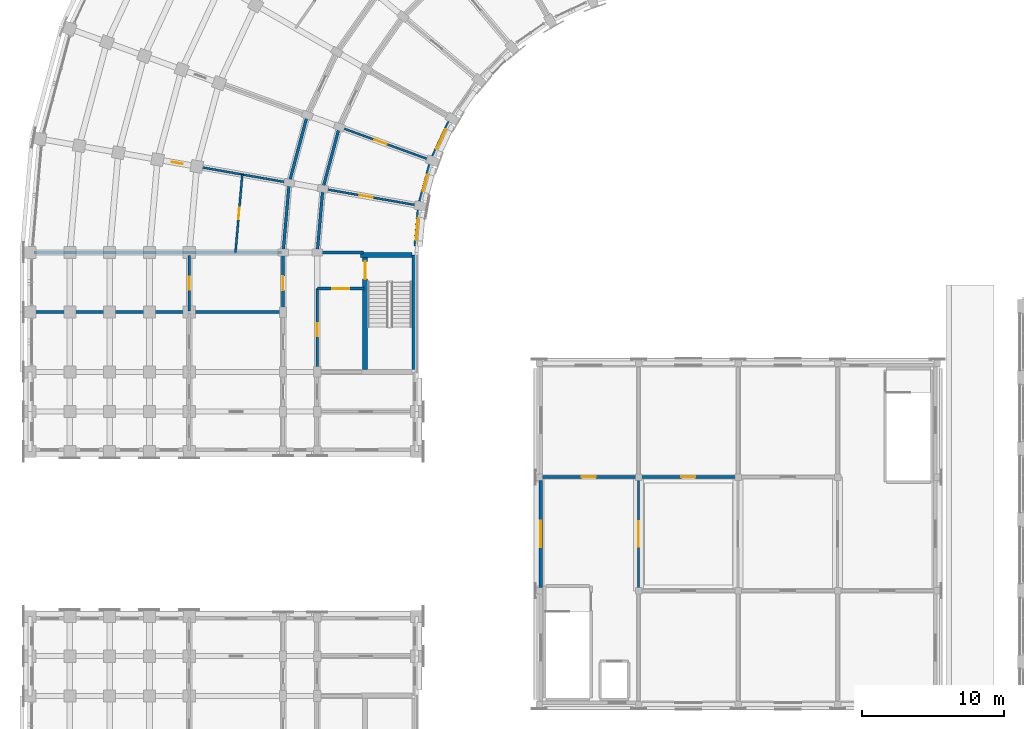
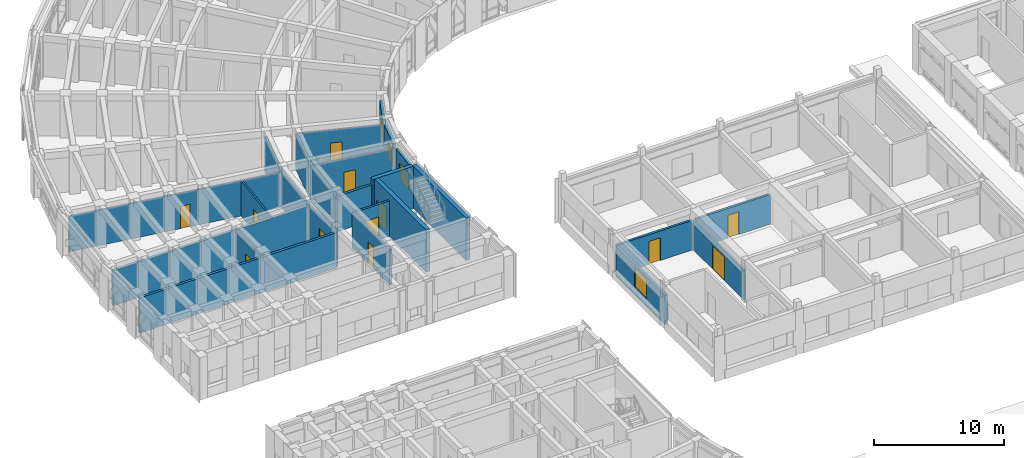
# One storey, part 66 of 97: 25 walls, 12 doors, 4 windows, 16 openings.
"""IFC4 building model written with IfcOpenShell, lengths in metres."""

from ifc_helpers import new_model, si_unit, direction, frame, frame_2d, origin, place, context, subcontext, project, spatial, rectangle, extrude, material, layer, layer_set, type_object, element, fill, save


model = new_model("IFC4")

# Units and contexts
model_context = context("Model", 3, precision=1e-05, world=origin(), true_north=direction((0.0, 1.0)))
body_context = subcontext(model_context, "Body", "Model", "MODEL_VIEW")
ifc_project = project(units=[si_unit("LENGTHUNIT", "METRE"), si_unit("AREAUNIT", "SQUARE_METRE"), si_unit("VOLUMEUNIT", "CUBIC_METRE"), si_unit("PLANEANGLEUNIT", "RADIAN"), si_unit("MASSUNIT", "GRAM", prefix="KILO")], contexts=[model_context])

# Site, building, storey
site_placement = place(None, origin())
site = spatial("IfcSite", under=ifc_project, at=site_placement, CompositionType="ELEMENT")
building_placement = place(site_placement, origin())
building = spatial("IfcBuilding", under=site, at=building_placement, Name="Kiranvali Square Residences", CompositionType="ELEMENT")
storey_placement = place(building_placement, frame((0.0, 0.0, 4.5)))
storey = spatial("IfcBuildingStorey", under=building, at=storey_placement, Name="L01", CompositionType="ELEMENT", Elevation=4.5)

# Wall, opening, door
ifc_material_1 = material(Name="Autoclaved aerated concrete blockwork masonry", Category="masonry")
ifc_layer_1 = layer(ifc_material_1, 0.199951171875)
ifc_layer_set_1 = layer_set([ifc_layer_1], Name="Autoclaved aerated concrete blockwork masonry")
wall_type_1 = type_object("IfcWallType", Name="WL-COR-200", PredefinedType="STANDARD", material=ifc_layer_set_1)
wall_1_placement = place(storey_placement, frame((25.699951171875, 85.25, 0.0), z_axis=(0.0, 0.0, 1.0), x_axis=(-1.0, 0.0, 0.0)))
wall_1 = element("IfcWall", 1, at=wall_1_placement, inside=storey, type_object=wall_type_1, Name="L01 architectural wall WL-L01-A-S3-V", PredefinedType="STANDARD", context=body_context, shape_type="SweptSolid", body=[
    extrude(rectangle(XDim=3.300048828125, YDim=0.199951171875, at=frame_2d((1.64990234375, 0.0))), origin(), (0.0, 0.0, 1.0), 3.322021484375),
])
opening_1_placement = place(wall_1_placement, frame((1.0400390625, 0.0, 0.0)))
opening_1 = element("IfcOpeningElement", 2, at=opening_1_placement, cuts=wall_1, Name="Opening FD-COR-60", PredefinedType="OPENING", context=body_context, shape_type="SweptSolid", body=[
    extrude(rectangle(XDim=1.219970703125, YDim=2.14990234375, at=frame_2d((0.60986328125, 1.074951171875))), frame((0.0, 0.10986328125, 0.0), z_axis=(0.0, -1.0, 0.0), x_axis=(1.0, 0.0, 0.0)), (0.0, 0.0, 1.0), 0.219970703125),
])
ifc_material_2 = material(Name="Fire-rated acoustic hardwood and mineral-core door assembly", Category="wood")
door_type_1 = type_object("IfcDoorType", Name="DR-FD60-1200", OperationType="NOTDEFINED", PredefinedType="DOOR", material=ifc_material_2)
door_1_placement = place(opening_1_placement, origin())
door_1 = element("IfcDoor", 3, at=door_1_placement, inside=storey, type_object=door_type_1, Name="L01 door DR-L01-0105 (DR-FD60-1200)", OperationType="SINGLE_SWING_LEFT", OverallHeight=2.14990234375, OverallWidth=1.219970703125, PredefinedType="DOOR", context=body_context, shape_type="SweptSolid", body=[
    extrude(rectangle(XDim=1.219970703125, YDim=2.14990234375, at=frame_2d((0.60986328125, 1.074951171875))), frame((0.0, 0.02490234375, 0.0), z_axis=(0.0, -1.0, 0.0), x_axis=(1.0, 0.0, 0.0)), (0.0, 0.0, 1.0), 0.050048828125),
])
fill(opening_1, door_1)

wall_2_placement = place(storey_placement, frame((22.39990234375, 85.25, 0.0), z_axis=(0.0, 0.0, 1.0), x_axis=(0.0, -1.0, 0.0)))
wall_2 = element("IfcWall", 4, at=wall_2_placement, inside=storey, type_object=wall_type_1, Name="L01 architectural wall WL-L01-A-S3-COR", PredefinedType="STANDARD", context=body_context, shape_type="SweptSolid", body=[
    extrude(rectangle(XDim=5.800048828125, YDim=0.199951171875, at=frame_2d((2.89990234375, 0.0))), origin(), (0.0, 0.0, 1.0), 3.322021484375),
])
opening_2_placement = place(wall_2_placement, frame((2.43994140625, 0.0, 0.0)))
opening_2 = element("IfcOpeningElement", 5, at=opening_2_placement, cuts=wall_2, Name="Opening FD-SVC-120", PredefinedType="OPENING", context=body_context, shape_type="SweptSolid", body=[
    extrude(rectangle(XDim=0.919921875, YDim=2.10009765625, at=frame_2d((0.4599609375, 1.050048828125))), frame((0.0, 0.10986328125, 0.0), z_axis=(0.0, -1.0, 0.0), x_axis=(1.0, 0.0, 0.0)), (0.0, 0.0, 1.0), 0.219970703125),
])
door_type_2 = type_object("IfcDoorType", Name="DR-SVC-900", OperationType="NOTDEFINED", PredefinedType="DOOR", material=ifc_material_2)
door_2_placement = place(opening_2_placement, frame((0.919921875, 0.0, 0.0), z_axis=(0.0, 0.0, 1.0), x_axis=(-1.0, 0.0, 0.0)))
door_2 = element("IfcDoor", 6, at=door_2_placement, inside=storey, type_object=door_type_2, Name="L01 door DR-L01-0106 (DR-SVC-900)", OperationType="SINGLE_SWING_RIGHT", OverallHeight=2.10009765625, OverallWidth=0.919921875, PredefinedType="DOOR", context=body_context, shape_type="SweptSolid", body=[
    extrude(rectangle(XDim=0.919921875, YDim=2.10009765625, at=frame_2d((0.4599609375, 1.050048828125))), frame((0.0, 0.02490234375, 0.0), z_axis=(0.0, -1.0, 0.0), x_axis=(1.0, 0.0, 0.0)), (0.0, 0.0, 1.0), 0.050048828125),
])
fill(opening_2, door_2)

# Walls
wall_3_placement = place(storey_placement, frame((23.955810546875, 96.6240234375, 0.0), z_axis=(0.0, 0.0, 1.0), x_axis=(-0.258787642463, -0.965934240054, 0.0)))
element("IfcWall", 7, at=wall_3_placement, inside=storey, type_object=wall_type_1, Name="L01 architectural wall WL-L01-A-CCI-7", PredefinedType="STANDARD", context=body_context, shape_type="SweptSolid", body=[
    extrude(rectangle(XDim=4.497314453125, YDim=0.199951171875, at=frame_2d((2.24853515625, 0.0))), origin(), (0.0, 0.0, 1.0), 3.322021484375),
])
wall_4_placement = place(storey_placement, frame((21.70068359375, 97.445068359375, 0.0), z_axis=(0.0, 0.0, 1.0), x_axis=(-0.258803112091, -0.965930095386, 0.0)))
element("IfcWall", 8, at=wall_4_placement, inside=storey, type_object=wall_type_1, Name="L01 architectural wall WL-L01-A-CCO-7", PredefinedType="STANDARD", context=body_context, shape_type="SweptSolid", body=[
    extrude(rectangle(XDim=4.915771484375, YDim=0.199951171875, at=frame_2d((2.4580078125, 0.0))), origin(), (0.0, 0.0, 1.0), 3.322021484375),
])
wall_5_placement = place(storey_placement, frame((22.7919921875, 92.280029296875, 0.0), z_axis=(0.0, 0.0, 1.0), x_axis=(-0.087187153726, -0.996191949488, 0.0)))
element("IfcWall", 9, at=wall_5_placement, inside=storey, type_object=wall_type_1, Name="L01 architectural wall WL-L01-A-CCI-8", PredefinedType="STANDARD", context=body_context, shape_type="SweptSolid", body=[
    extrude(rectangle(XDim=4.4970703125, YDim=0.199951171875, at=frame_2d((2.24853515625, 0.0))), origin(), (0.0, 0.0, 1.0), 3.322021484375),
])
wall_6_placement = place(storey_placement, frame((20.428466796875, 92.69677734375, 0.0), z_axis=(0.0, 0.0, 1.0), x_axis=(-0.087167566415, -0.996193663584, 0.0)))
element("IfcWall", 10, at=wall_6_placement, inside=storey, type_object=wall_type_1, Name="L01 architectural wall WL-L01-A-CCO-8", PredefinedType="STANDARD", context=body_context, shape_type="SweptSolid", body=[
    extrude(rectangle(XDim=4.91552734375, YDim=0.199951171875, at=frame_2d((2.457763671875, 0.0))), origin(), (0.0, 0.0, 1.0), 3.322021484375),
])

# Wall, opening, door
wall_7_placement = place(storey_placement, frame((20.0, 87.64990234375, 0.0), z_axis=(0.0, 0.0, 1.0), x_axis=(0.0, -1.0, 0.0)))
wall_7 = element("IfcWall", 11, at=wall_7_placement, inside=storey, type_object=wall_type_1, Name="L01 architectural wall WL-L01-A-A2CF-C0", PredefinedType="STANDARD", context=body_context, shape_type="SweptSolid", body=[
    extrude(rectangle(XDim=4.0498046875, YDim=0.199951171875, at=frame_2d((2.02490234375, 0.0))), origin(), (0.0, 0.0, 1.0), 3.322021484375),
])
opening_3_placement = place(wall_7_placement, frame((1.52490234375, 0.0, 0.0)))
opening_3 = element("IfcOpeningElement", 12, at=opening_3_placement, cuts=wall_7, Name="Opening FD-APT-60", PredefinedType="OPENING", context=body_context, shape_type="SweptSolid", body=[
    extrude(rectangle(XDim=1.0, YDim=2.14990234375, at=frame_2d((0.5, 1.074951171875))), frame((0.0, 0.10986328125, 0.0), z_axis=(0.0, -1.0, 0.0), x_axis=(1.0, 0.0, 0.0)), (0.0, 0.0, 1.0), 0.219970703125),
])
door_type_3 = type_object("IfcDoorType", Name="DR-APT-1000", OperationType="NOTDEFINED", PredefinedType="DOOR", material=ifc_material_2)
door_3_placement = place(opening_3_placement, frame((1.0, 0.0, 0.0), z_axis=(0.0, 0.0, 1.0), x_axis=(-1.0, 0.0, 0.0)))
door_3 = element("IfcDoor", 13, at=door_3_placement, inside=storey, type_object=door_type_3, Name="L01 door DR-L01-0144 (DR-APT-1000)", OperationType="SINGLE_SWING_RIGHT", OverallHeight=2.14990234375, OverallWidth=1.0, PredefinedType="DOOR", context=body_context, shape_type="SweptSolid", body=[
    extrude(rectangle(XDim=1.0, YDim=2.14990234375, at=frame_2d((0.5, 1.074951171875))), frame((0.0, 0.02490234375, 0.0), z_axis=(0.0, -1.0, 0.0), x_axis=(1.0, 0.0, 0.0)), (0.0, 0.0, 1.0), 0.050048828125),
])
fill(opening_3, door_3)

wall_8_placement = place(storey_placement, frame((38.14990234375, 72.0, 0.0), z_axis=(0.0, 0.0, 1.0), x_axis=(1.0, 0.0, 0.0)))
wall_8 = element("IfcWall", 14, at=wall_8_placement, inside=storey, type_object=wall_type_1, Name="L01 architectural wall WL-NR-L01-Y1-0", PredefinedType="STANDARD", context=body_context, shape_type="SweptSolid", body=[
    extrude(rectangle(XDim=6.7001953125, YDim=0.199951171875, at=frame_2d((3.35009765625, 0.0))), origin(), (0.0, 0.0, 1.0), 2.7919921875),
])
opening_4_placement = place(wall_8_placement, frame((2.85009765625, 0.0, 0.0)))
opening_4 = element("IfcOpeningElement", 15, at=opening_4_placement, cuts=wall_8, Name="Opening FD-APT-60", PredefinedType="OPENING", context=body_context, shape_type="SweptSolid", body=[
    extrude(rectangle(XDim=1.0, YDim=2.14990234375, at=frame_2d((0.5, 1.074951171875))), frame((0.0, 0.10986328125, 0.0), z_axis=(0.0, -1.0, 0.0), x_axis=(1.0, 0.0, 0.0)), (0.0, 0.0, 1.0), 0.219970703125),
])
door_4_placement = place(opening_4_placement, origin())
door_4 = element("IfcDoor", 16, at=door_4_placement, inside=storey, type_object=door_type_3, Name="L01 door DR-L01-2325 (DR-APT-1000)", OperationType="SINGLE_SWING_LEFT", OverallHeight=2.14990234375, OverallWidth=1.0, PredefinedType="DOOR", context=body_context, shape_type="SweptSolid", body=[
    extrude(rectangle(XDim=1.0, YDim=2.14990234375, at=frame_2d((0.5, 1.074951171875))), frame((0.0, 0.02490234375, 0.0), z_axis=(0.0, -1.0, 0.0), x_axis=(1.0, 0.0, 0.0)), (0.0, 0.0, 1.0), 0.050048828125),
])
fill(opening_4, door_4)

wall_9_placement = place(storey_placement, frame((45.14990234375, 72.0, 0.0), z_axis=(0.0, 0.0, 1.0), x_axis=(1.0, 0.0, 0.0)))
wall_9 = element("IfcWall", 17, at=wall_9_placement, inside=storey, type_object=wall_type_1, Name="L01 architectural wall WL-NR-L01-Y1-1", PredefinedType="STANDARD", context=body_context, shape_type="SweptSolid", body=[
    extrude(rectangle(XDim=6.7001953125, YDim=0.199951171875, at=frame_2d((3.35009765625, 0.0))), origin(), (0.0, 0.0, 1.0), 2.7919921875),
])
opening_5_placement = place(wall_9_placement, frame((2.85009765625, 0.0, 0.0)))
opening_5 = element("IfcOpeningElement", 18, at=opening_5_placement, cuts=wall_9, Name="Opening FD-APT-60", PredefinedType="OPENING", context=body_context, shape_type="SweptSolid", body=[
    extrude(rectangle(XDim=1.0, YDim=2.14990234375, at=frame_2d((0.5, 1.074951171875))), frame((0.0, 0.10986328125, 0.0), z_axis=(0.0, -1.0, 0.0), x_axis=(1.0, 0.0, 0.0)), (0.0, 0.0, 1.0), 0.219970703125),
])
door_5_placement = place(opening_5_placement, frame((1.0, 0.0, 0.0), z_axis=(0.0, 0.0, 1.0), x_axis=(-1.0, 0.0, 0.0)))
door_5 = element("IfcDoor", 19, at=door_5_placement, inside=storey, type_object=door_type_3, Name="L01 door DR-L01-2326 (DR-APT-1000)", OperationType="SINGLE_SWING_RIGHT", OverallHeight=2.14990234375, OverallWidth=1.0, PredefinedType="DOOR", context=body_context, shape_type="SweptSolid", body=[
    extrude(rectangle(XDim=1.0, YDim=2.14990234375, at=frame_2d((0.5, 1.074951171875))), frame((0.0, 0.02490234375, 0.0), z_axis=(0.0, -1.0, 0.0), x_axis=(1.0, 0.0, 0.0)), (0.0, 0.0, 1.0), 0.050048828125),
])
fill(opening_5, door_5)

# Walls
ifc_layer_2 = layer(ifc_material_1, 0.219970703125)
ifc_layer_set_2 = layer_set([ifc_layer_2], Name="Autoclaved aerated concrete blockwork masonry")
wall_type_2 = type_object("IfcWallType", Name="WL-DEM-220", PredefinedType="STANDARD", material=ifc_layer_set_2)
wall_10_placement = place(storey_placement, frame((25.64990234375, 87.800048828125, 0.0), z_axis=(0.0, 0.0, 1.0), x_axis=(-1.0, 0.0, 0.0)))
element("IfcWall", 20, at=wall_10_placement, inside=storey, type_object=wall_type_2, Name="L01 architectural wall WL-L01-A-RADI-9", PredefinedType="STANDARD", context=body_context, shape_type="SweptSolid", body=[
    extrude(rectangle(XDim=3.199951171875, YDim=0.219970703125, at=frame_2d((1.60009765625, 0.0))), origin(), (0.0, 0.0, 1.0), 3.322021484375),
])
wall_11_placement = place(storey_placement, frame((19.949951171875, 83.60009765625, 0.0), z_axis=(0.0, 0.0, 1.0), x_axis=(-1.0, 0.0, 0.0)))
element("IfcWall", 21, at=wall_11_placement, inside=storey, type_object=wall_type_2, Name="L01 architectural wall WL-L01-A-A2CF-MID", PredefinedType="STANDARD", context=body_context, shape_type="SweptSolid", body=[
    extrude(rectangle(XDim=17.530029296875, YDim=0.219970703125, at=frame_2d((8.76513671875, 0.0))), origin(), (0.0, 0.0, 1.0), 3.322021484375),
])
ifc_layer_3 = layer(ifc_material_1, 0.22998046875)
ifc_layer_set_3 = layer_set([ifc_layer_3], Name="Autoclaved aerated concrete blockwork masonry")
wall_type_3 = type_object("IfcWallType", Name="WL-DEM-230", PredefinedType="STANDARD", material=ifc_layer_set_3)
wall_12_placement = place(storey_placement, frame((19.89990234375, 87.800048828125, 0.0), z_axis=(0.0, 0.0, 1.0), x_axis=(-1.0, 0.0, 0.0)))
element("IfcWall", 22, at=wall_12_placement, inside=storey, type_object=wall_type_3, Name="L01 architectural wall WL-L01-A-RADO-9", PredefinedType="STANDARD", context=body_context, shape_type="SweptSolid", body=[
    extrude(rectangle(XDim=17.419921875, YDim=0.22998046875, at=frame_2d((8.7099609375, 0.0))), origin(), (0.0, 0.0, 1.0), 3.322021484375),
])

# Wall, opening, window
ifc_material_3 = material(Name="Breathable lime-rendered clay brick masonry", Category="masonry")
ifc_layer_4 = layer(ifc_material_3, 0.25)
ifc_layer_set_4 = layer_set([ifc_layer_4], Name="Breathable lime-rendered clay brick masonry")
wall_type_4 = type_object("IfcWallType", Name="WL-EXT-250", PredefinedType="STANDARD", material=ifc_layer_set_4)
wall_13_placement = place(storey_placement, frame((31.677001953125, 96.9775390625, 0.0), z_axis=(0.0, 0.0, 1.0), x_axis=(-0.422610081738, -0.90631160139, 0.0)))
wall_13 = element("IfcWall", 23, at=wall_13_placement, inside=storey, type_object=wall_type_4, Name="L01 exterior wall A-L01-GDN-06", PredefinedType="STANDARD", context=body_context, shape_type="SweptSolid", body=[
    extrude(rectangle(XDim=2.66943359375, YDim=0.25, at=frame_2d((1.334716796875, 0.0))), origin(), (0.0, 0.0, 1.0), 3.471923828125),
])
opening_6_placement = place(wall_13_placement, frame((0.584716796875, 0.0, 0.8798828125)))
opening_6 = element("IfcOpeningElement", 24, at=opening_6_placement, cuts=wall_13, Name="Opening W-05", PredefinedType="OPENING", context=body_context, shape_type="SweptSolid", body=[
    extrude(rectangle(XDim=1.5, YDim=1.64990234375, at=frame_2d((0.75, 0.824951171875))), frame((0.0, 0.135009765625, 0.0), z_axis=(0.0, -1.0, 0.0), x_axis=(1.0, 0.0, 0.0)), (0.0, 0.0, 1.0), 0.27001953125),
])
ifc_material_4 = material(Name="Solar-control low-e double glazing", Category="glass")
window_type_1 = type_object("IfcWindowType", Name="WIN-RES-1500x1650", PartitioningType="DOUBLE_PANEL_VERTICAL", PredefinedType="WINDOW", material=ifc_material_4)
window_1_placement = place(opening_6_placement, origin())
window_1 = element("IfcWindow", 25, at=window_1_placement, inside=storey, type_object=window_type_1, Name="L01 recessed window A-L01-GDN-06", OverallHeight=1.64990234375, OverallWidth=1.5, PartitioningType="DOUBLE_PANEL_VERTICAL", PredefinedType="WINDOW", context=body_context, shape_type="SweptSolid", body=[
    extrude(rectangle(XDim=1.5, YDim=1.64990234375, at=frame_2d((0.75, 0.824951171875))), frame((0.0, 0.030029296875, 0.0), z_axis=(0.0, -1.0, 0.0), x_axis=(1.0, 0.0, 0.0)), (0.0, 0.0, 1.0), 0.06005859375),
])
fill(opening_6, window_1)

wall_14_placement = place(storey_placement, frame((30.33447265625, 93.968994140625, 0.0), z_axis=(0.0, 0.0, 1.0), x_axis=(-0.258812272661, -0.965927640934, 0.0)))
wall_14 = element("IfcWall", 26, at=wall_14_placement, inside=storey, type_object=wall_type_4, Name="L01 exterior wall A-L01-GDN-07", PredefinedType="STANDARD", context=body_context, shape_type="SweptSolid", body=[
    extrude(rectangle(XDim=2.669677734375, YDim=0.25, at=frame_2d((1.3349609375, 0.0))), origin(), (0.0, 0.0, 1.0), 3.471923828125),
])
opening_7_placement = place(wall_14_placement, frame((0.73486328125, 0.0, 0.8798828125)))
opening_7 = element("IfcOpeningElement", 27, at=opening_7_placement, cuts=wall_14, Name="Opening W-06", PredefinedType="OPENING", context=body_context, shape_type="SweptSolid", body=[
    extrude(rectangle(XDim=1.199951171875, YDim=1.5, at=frame_2d((0.60009765625, 0.75))), frame((0.0, 0.135009765625, 0.0), z_axis=(0.0, -1.0, 0.0), x_axis=(1.0, 0.0, 0.0)), (0.0, 0.0, 1.0), 0.27001953125),
])
window_type_2 = type_object("IfcWindowType", Name="WIN-RES-1200x1500", PartitioningType="SINGLE_PANEL", PredefinedType="WINDOW", material=ifc_material_4)
window_2_placement = place(opening_7_placement, origin())
window_2 = element("IfcWindow", 28, at=window_2_placement, inside=storey, type_object=window_type_2, Name="L01 recessed window A-L01-GDN-07", OverallHeight=1.5, OverallWidth=1.199951171875, PartitioningType="SINGLE_PANEL", PredefinedType="WINDOW", context=body_context, shape_type="SweptSolid", body=[
    extrude(rectangle(XDim=1.199951171875, YDim=1.5, at=frame_2d((0.60009765625, 0.75))), frame((0.0, 0.030029296875, 0.0), z_axis=(0.0, -1.0, 0.0), x_axis=(1.0, 0.0, 0.0)), (0.0, 0.0, 1.0), 0.06005859375),
])
fill(opening_7, window_2)

wall_15_placement = place(storey_placement, frame((29.53466796875, 90.77294921875, 0.0), z_axis=(0.0, 0.0, 1.0), x_axis=(-0.087215965161, -0.996189427479, 0.0)))
wall_15 = element("IfcWall", 29, at=wall_15_placement, inside=storey, type_object=wall_type_4, Name="L01 exterior wall A-L01-GDN-08", PredefinedType="STANDARD", context=body_context, shape_type="SweptSolid", body=[
    extrude(rectangle(XDim=2.533447265625, YDim=0.25, at=frame_2d((1.2666015625, 0.0))), origin(), (0.0, 0.0, 1.0), 3.471923828125),
])
opening_8_placement = place(wall_15_placement, frame((0.559814453125, 0.0, 0.8798828125)))
opening_8 = element("IfcOpeningElement", 30, at=opening_8_placement, cuts=wall_15, Name="Opening W-18", PredefinedType="OPENING", context=body_context, shape_type="SweptSolid", body=[
    extrude(rectangle(XDim=1.550048828125, YDim=1.60009765625, at=frame_2d((0.77490234375, 0.800048828125))), frame((0.0, 0.135009765625, 0.0), z_axis=(0.0, -1.0, 0.0), x_axis=(1.0, 0.0, 0.0)), (0.0, 0.0, 1.0), 0.27001953125),
])
window_type_3 = type_object("IfcWindowType", Name="WIN-GDN-1550x1600", PartitioningType="DOUBLE_PANEL_VERTICAL", PredefinedType="WINDOW", material=ifc_material_4)
window_3_placement = place(opening_8_placement, origin())
window_3 = element("IfcWindow", 31, at=window_3_placement, inside=storey, type_object=window_type_3, Name="L01 recessed window A-L01-GDN-08", OverallHeight=1.60009765625, OverallWidth=1.550048828125, PartitioningType="DOUBLE_PANEL_VERTICAL", PredefinedType="WINDOW", context=body_context, shape_type="SweptSolid", body=[
    extrude(rectangle(XDim=1.550048828125, YDim=1.60009765625, at=frame_2d((0.77490234375, 0.800048828125))), frame((0.0, 0.030029296875, 0.0), z_axis=(0.0, -1.0, 0.0), x_axis=(1.0, 0.0, 0.0)), (0.0, 0.0, 1.0), 0.06005859375),
])
fill(opening_8, window_3)

wall_16_placement = place(storey_placement, frame((38.125, 64.228515625, 0.0), z_axis=(0.0, 0.0, 1.0), x_axis=(0.0, 1.0, 0.0)))
wall_16 = element("IfcWall", 32, at=wall_16_placement, inside=storey, type_object=wall_type_4, Name="L01 exterior wall NR-L01-W-1", PredefinedType="STANDARD", context=body_context, shape_type="SweptSolid", body=[
    extrude(rectangle(XDim=7.54296875, YDim=0.25, at=frame_2d((3.771484375, 0.0))), origin(), (0.0, 0.0, 1.0), 2.7919921875),
])
opening_9_placement = place(wall_16_placement, frame((2.846435546875, 0.0, 0.69189453125)))
opening_9 = element("IfcOpeningElement", 33, at=opening_9_placement, cuts=wall_16, Name="Opening W-22", PredefinedType="OPENING", context=body_context, shape_type="SweptSolid", body=[
    extrude(rectangle(XDim=1.85009765625, YDim=1.89990234375, at=frame_2d((0.925048828125, 0.949951171875))), frame((0.0, 0.135009765625, 0.0), z_axis=(0.0, -1.0, 0.0), x_axis=(1.0, 0.0, 0.0)), (0.0, 0.0, 1.0), 0.27001953125),
])
window_type_4 = type_object("IfcWindowType", Name="WIN-PAV-1850x1900", PartitioningType="DOUBLE_PANEL_VERTICAL", PredefinedType="WINDOW", material=ifc_material_4)
window_4_placement = place(opening_9_placement, origin())
window_4 = element("IfcWindow", 34, at=window_4_placement, inside=storey, type_object=window_type_4, Name="L01 recessed window NR-L01-W-1", OverallHeight=1.89990234375, OverallWidth=1.85009765625, PartitioningType="DOUBLE_PANEL_VERTICAL", PredefinedType="WINDOW", context=body_context, shape_type="SweptSolid", body=[
    extrude(rectangle(XDim=1.85009765625, YDim=1.89990234375, at=frame_2d((0.925048828125, 0.949951171875))), frame((0.0, 0.030029296875, 0.0), z_axis=(0.0, -1.0, 0.0), x_axis=(1.0, 0.0, 0.0)), (0.0, 0.0, 1.0), 0.06005859375),
])
fill(opening_9, window_4)

# Wall, opening, door
ifc_material_5 = material(Name="Acoustic gypsum board drylined partition", Category="gypsum")
ifc_layer_5 = layer(ifc_material_5, 0.14990234375)
ifc_layer_set_5 = layer_set([ifc_layer_5], Name="Acoustic gypsum board drylined partition")
wall_type_5 = type_object("IfcWallType", Name="WL-PRT-150", PredefinedType="PARTITIONING", material=ifc_layer_set_5)
wall_17_placement = place(storey_placement, frame((30.345947265625, 94.29833984375, 0.0), z_axis=(0.0, 0.0, 1.0), x_axis=(-0.939696231917, 0.342010221662, 0.0)))
wall_17 = element("IfcWall", 35, at=wall_17_placement, inside=storey, type_object=wall_type_5, Name="L01 architectural wall WL-L01-A-RADI-7", PredefinedType="PARTITIONING", context=body_context, shape_type="SweptSolid", body=[
    extrude(rectangle(XDim=6.75, YDim=0.14990234375, at=frame_2d((3.375, 0.0))), origin(), (0.0, 0.0, 1.0), 3.322021484375),
])
opening_10_placement = place(wall_17_placement, frame((3.262451171875, 0.0, 0.0)))
opening_10 = element("IfcOpeningElement", 36, at=opening_10_placement, cuts=wall_17, Name="Opening ID-1", PredefinedType="OPENING", context=body_context, shape_type="SweptSolid", body=[
    extrude(rectangle(XDim=0.89990234375, YDim=2.10009765625, at=frame_2d((0.449951171875, 1.050048828125))), frame((0.0, 0.0849609375, 0.0), z_axis=(0.0, -1.0, 0.0), x_axis=(1.0, 0.0, 0.0)), (0.0, 0.0, 1.0), 0.169921875),
])
ifc_material_6 = material(Name="Solid seasoned teak hardwood joinery", Category="wood")
door_type_4 = type_object("IfcDoorType", Name="DR-INT-900", OperationType="NOTDEFINED", PredefinedType="DOOR", material=ifc_material_6)
door_6_placement = place(opening_10_placement, origin())
door_6 = element("IfcDoor", 37, at=door_6_placement, inside=storey, type_object=door_type_4, Name="L01 door DR-L01-0131 (DR-INT-900)", OperationType="SINGLE_SWING_LEFT", OverallHeight=2.10009765625, OverallWidth=0.89990234375, PredefinedType="DOOR", context=body_context, shape_type="SweptSolid", body=[
    extrude(rectangle(XDim=0.89990234375, YDim=2.10009765625, at=frame_2d((0.449951171875, 1.050048828125))), frame((0.0, 0.02490234375, 0.0), z_axis=(0.0, -1.0, 0.0), x_axis=(1.0, 0.0, 0.0)), (0.0, 0.0, 1.0), 0.050048828125),
])
fill(opening_10, door_6)

wall_18_placement = place(storey_placement, frame((29.48876953125, 91.099365234375, 0.0), z_axis=(0.0, 0.0, 1.0), x_axis=(-0.984807944945, 0.173647089161, 0.0)))
wall_18 = element("IfcWall", 38, at=wall_18_placement, inside=storey, type_object=wall_type_5, Name="L01 architectural wall WL-L01-A-RADI-8", PredefinedType="PARTITIONING", context=body_context, shape_type="SweptSolid", body=[
    extrude(rectangle(XDim=6.75, YDim=0.14990234375, at=frame_2d((3.375, 0.0))), origin(), (0.0, 0.0, 1.0), 3.322021484375),
])
opening_11_placement = place(wall_18_placement, frame((3.242431640625, 0.0, 0.0)))
opening_11 = element("IfcOpeningElement", 39, at=opening_11_placement, cuts=wall_18, Name="Opening ID-2", PredefinedType="OPENING", context=body_context, shape_type="SweptSolid", body=[
    extrude(rectangle(XDim=0.93994140625, YDim=2.10009765625, at=frame_2d((0.469970703125, 1.050048828125))), frame((0.0, 0.0849609375, 0.0), z_axis=(0.0, -1.0, 0.0), x_axis=(1.0, 0.0, 0.0)), (0.0, 0.0, 1.0), 0.169921875),
])
door_type_5 = type_object("IfcDoorType", Name="DR-INT-940", OperationType="NOTDEFINED", PredefinedType="DOOR", material=ifc_material_6)
door_7_placement = place(opening_11_placement, origin())
door_7 = element("IfcDoor", 40, at=door_7_placement, inside=storey, type_object=door_type_5, Name="L01 door DR-L01-0133 (DR-INT-940)", OperationType="SINGLE_SWING_LEFT", OverallHeight=2.10009765625, OverallWidth=0.93994140625, PredefinedType="DOOR", context=body_context, shape_type="SweptSolid", body=[
    extrude(rectangle(XDim=0.93994140625, YDim=2.10009765625, at=frame_2d((0.469970703125, 1.050048828125))), frame((0.0, 0.02490234375, 0.0), z_axis=(0.0, -1.0, 0.0), x_axis=(1.0, 0.0, 0.0)), (0.0, 0.0, 1.0), 0.050048828125),
])
fill(opening_11, door_7)

wall_19_placement = place(storey_placement, frame((20.329833984375, 92.71435546875, 0.0), z_axis=(0.0, 0.0, 1.0), x_axis=(-0.984808098809, 0.173646216546, 0.0)))
wall_19 = element("IfcWall", 41, at=wall_19_placement, inside=storey, type_object=wall_type_5, Name="L01 architectural wall WL-L01-A-RADO-8", PredefinedType="PARTITIONING", context=body_context, shape_type="SweptSolid", body=[
    extrude(rectangle(XDim=17.419921875, YDim=0.14990234375, at=frame_2d((8.7099609375, 0.0))), origin(), (0.0, 0.0, 1.0), 3.322021484375),
])
opening_12_placement = place(wall_19_placement, frame((7.5, 0.0, 0.0)))
opening_12 = element("IfcOpeningElement", 42, at=opening_12_placement, cuts=wall_19, Name="Opening ID-WET", PredefinedType="OPENING", context=body_context, shape_type="SweptSolid", body=[
    extrude(rectangle(XDim=0.800048828125, YDim=2.10009765625, at=frame_2d((0.39990234375, 1.050048828125))), frame((0.0, 0.0849609375, 0.0), z_axis=(0.0, -1.0, 0.0), x_axis=(1.0, 0.0, 0.0)), (0.0, 0.0, 1.0), 0.169921875),
])
door_type_6 = type_object("IfcDoorType", Name="DR-WET-800", OperationType="NOTDEFINED", PredefinedType="DOOR", material=ifc_material_6)
door_8_placement = place(opening_12_placement, frame((0.800048828125, 0.0, 0.0), z_axis=(0.0, 0.0, 1.0), x_axis=(-1.0, 0.0, 0.0)))
door_8 = element("IfcDoor", 43, at=door_8_placement, inside=storey, type_object=door_type_6, Name="L01 door DR-L01-0134 (DR-WET-800)", OperationType="SINGLE_SWING_RIGHT", OverallHeight=2.10009765625, OverallWidth=0.800048828125, PredefinedType="DOOR", context=body_context, shape_type="SweptSolid", body=[
    extrude(rectangle(XDim=0.800048828125, YDim=2.10009765625, at=frame_2d((0.39990234375, 1.050048828125))), frame((0.0, 0.02490234375, 0.0), z_axis=(0.0, -1.0, 0.0), x_axis=(1.0, 0.0, 0.0)), (0.0, 0.0, 1.0), 0.050048828125),
])
fill(opening_12, door_8)

wall_20_placement = place(storey_placement, frame((13.39990234375, 87.570068359375, 0.0), z_axis=(0.0, 0.0, 1.0), x_axis=(0.0, -1.0, 0.0)))
wall_20 = element("IfcWall", 44, at=wall_20_placement, inside=storey, type_object=wall_type_5, Name="L01 architectural wall WL-L01-A-A2CF-SP0", PredefinedType="PARTITIONING", context=body_context, shape_type="SweptSolid", body=[
    extrude(rectangle(XDim=3.89013671875, YDim=0.14990234375, at=frame_2d((1.945068359375, 0.0))), origin(), (0.0, 0.0, 1.0), 3.322021484375),
])
opening_13_placement = place(wall_20_placement, frame((1.4951171875, 0.0, 0.0)))
opening_13 = element("IfcOpeningElement", 45, at=opening_13_placement, cuts=wall_20, Name="Opening ID-1", PredefinedType="OPENING", context=body_context, shape_type="SweptSolid", body=[
    extrude(rectangle(XDim=0.89990234375, YDim=2.10009765625, at=frame_2d((0.449951171875, 1.050048828125))), frame((0.0, 0.0849609375, 0.0), z_axis=(0.0, -1.0, 0.0), x_axis=(1.0, 0.0, 0.0)), (0.0, 0.0, 1.0), 0.169921875),
])
door_9_placement = place(opening_13_placement, origin())
door_9 = element("IfcDoor", 46, at=door_9_placement, inside=storey, type_object=door_type_4, Name="L01 door DR-L01-0145 (DR-INT-900)", OperationType="SINGLE_SWING_LEFT", OverallHeight=2.10009765625, OverallWidth=0.89990234375, PredefinedType="DOOR", context=body_context, shape_type="SweptSolid", body=[
    extrude(rectangle(XDim=0.89990234375, YDim=2.10009765625, at=frame_2d((0.449951171875, 1.050048828125))), frame((0.0, 0.02490234375, 0.0), z_axis=(0.0, -1.0, 0.0), x_axis=(1.0, 0.0, 0.0)), (0.0, 0.0, 1.0), 0.050048828125),
])
fill(opening_13, door_9)

wall_21_placement = place(storey_placement, frame((45.0, 64.10009765625, 0.0), z_axis=(0.0, 0.0, 1.0), x_axis=(0.0, 1.0, 0.0)))
wall_21 = element("IfcWall", 47, at=wall_21_placement, inside=storey, type_object=wall_type_5, Name="L01 architectural wall WL-NR-L01-X1-M", PredefinedType="PARTITIONING", context=body_context, shape_type="SweptSolid", body=[
    extrude(rectangle(XDim=7.7998046875, YDim=0.14990234375, at=frame_2d((3.89990234375, 0.0))), origin(), (0.0, 0.0, 1.0), 2.7919921875),
])
opening_14_placement = place(wall_21_placement, frame((3.0, 0.0, 0.0)))
opening_14 = element("IfcOpeningElement", 48, at=opening_14_placement, cuts=wall_21, Name="Opening ED-GLZ-180", PredefinedType="OPENING", context=body_context, shape_type="SweptSolid", body=[
    extrude(rectangle(XDim=1.800048828125, YDim=2.199951171875, at=frame_2d((0.89990234375, 1.10009765625))), frame((0.0, 0.0849609375, 0.0), z_axis=(0.0, -1.0, 0.0), x_axis=(1.0, 0.0, 0.0)), (0.0, 0.0, 1.0), 0.169921875),
])
ifc_material_7 = material(Name="Anodised bronze aluminium framing", Category="aluminium")
door_type_7 = type_object("IfcDoorType", Name="DR-GLZ-1800", OperationType="DOUBLE_DOOR_SINGLE_SWING", PredefinedType="DOOR", material=ifc_material_7)
door_10_placement = place(opening_14_placement, origin())
door_10 = element("IfcDoor", 49, at=door_10_placement, inside=storey, type_object=door_type_7, Name="L01 door DR-L01-2328 (DR-GLZ-1800)", OperationType="DOUBLE_DOOR_SINGLE_SWING", OverallHeight=2.199951171875, OverallWidth=1.800048828125, PredefinedType="DOOR", context=body_context, shape_type="SweptSolid", body=[
    extrude(rectangle(XDim=1.800048828125, YDim=2.199951171875, at=frame_2d((0.89990234375, 1.10009765625))), frame((0.0, 0.02490234375, 0.0), z_axis=(0.0, -1.0, 0.0), x_axis=(1.0, 0.0, 0.0)), (0.0, 0.0, 1.0), 0.050048828125),
])
fill(opening_14, door_10)

# Wall
ifc_material_8 = material(Name="Concrete M50 (50 MPa)", Category="concrete")
ifc_layer_6 = layer(ifc_material_8, 0.35009765625)
ifc_layer_set_6 = layer_set([ifc_layer_6], Name="Concrete M50 (50 MPa)")
wall_type_6 = type_object("IfcWallType", Name="WL-SHR-350", PredefinedType="SHEAR", material=ifc_layer_set_6)
wall_22_placement = place(storey_placement, frame((29.22509765625, 87.625, 0.0), z_axis=(0.0, 0.0, 1.0), x_axis=(0.0, -1.0, 0.0)))
element("IfcWall", 50, at=wall_22_placement, inside=storey, type_object=wall_type_6, Name="Block A core shear wall SW-A3-OUT-L01", PredefinedType="SHEAR", context=body_context, shape_type="SweptSolid", body=[
    extrude(rectangle(XDim=8.25, YDim=0.35009765625, at=frame_2d((4.125, 0.0))), origin(), (0.0, 0.0, 1.0), 3.97998046875),
])

# Wall, opening, door
wall_23_placement = place(storey_placement, frame((25.77490234375, 87.449951171875, 0.0), z_axis=(0.0, 0.0, 1.0), x_axis=(0.0, -1.0, 0.0)))
wall_23 = element("IfcWall", 51, at=wall_23_placement, inside=storey, type_object=wall_type_6, Name="Block A core shear wall SW-A3-IN-L01", PredefinedType="SHEAR", context=body_context, shape_type="SweptSolid", body=[
    extrude(rectangle(XDim=7.89990234375, YDim=0.35009765625, at=frame_2d((3.949951171875, 0.0))), origin(), (0.0, 0.0, 1.0), 3.97998046875),
])
opening_15_placement = place(wall_23_placement, frame((0.280029296875, 0.0, 0.0)))
opening_15 = element("IfcOpeningElement", 52, at=opening_15_placement, cuts=wall_23, Name="Opening FD-ST-120", PredefinedType="OPENING", context=body_context, shape_type="SweptSolid", body=[
    extrude(rectangle(XDim=1.239990234375, YDim=2.14990234375, at=frame_2d((0.6201171875, 1.074951171875))), frame((0.0, 0.18505859375, 0.0), z_axis=(0.0, -1.0, 0.0), x_axis=(1.0, 0.0, 0.0)), (0.0, 0.0, 1.0), 0.3701171875),
])
door_type_8 = type_object("IfcDoorType", Name="DR-FD120-1200", OperationType="NOTDEFINED", PredefinedType="DOOR", material=ifc_material_2)
door_11_placement = place(opening_15_placement, origin())
door_11 = element("IfcDoor", 53, at=door_11_placement, inside=storey, type_object=door_type_8, Name="L01 door DR-L01-0101 (DR-FD120-1200)", OperationType="SINGLE_SWING_LEFT", OverallHeight=2.14990234375, OverallWidth=1.239990234375, PredefinedType="DOOR", context=body_context, shape_type="SweptSolid", body=[
    extrude(rectangle(XDim=1.239990234375, YDim=2.14990234375, at=frame_2d((0.6201171875, 1.074951171875))), frame((0.0, 0.02490234375, 0.0), z_axis=(0.0, -1.0, 0.0), x_axis=(1.0, 0.0, 0.0)), (0.0, 0.0, 1.0), 0.050048828125),
])
fill(opening_15, door_11)

# Wall
wall_24_placement = place(storey_placement, frame((29.050048828125, 87.625, 0.0), z_axis=(0.0, 0.0, 1.0), x_axis=(-1.0, 0.0, 0.0)))
element("IfcWall", 54, at=wall_24_placement, inside=storey, type_object=wall_type_6, Name="Block A core shear wall SW-A3-NEAR-L01", PredefinedType="SHEAR", context=body_context, shape_type="SweptSolid", body=[
    extrude(rectangle(XDim=3.60009765625, YDim=0.35009765625, at=frame_2d((1.800048828125, 0.0))), origin(), (0.0, 0.0, 1.0), 3.97998046875),
])

# Wall, opening, door
ifc_layer_7 = layer(ifc_material_1, 0.14990234375)
ifc_layer_set_7 = layer_set([ifc_layer_7], Name="Autoclaved aerated concrete blockwork masonry")
wall_type_7 = type_object("IfcWallType", Name="WL-WET-150", PredefinedType="PLUMBINGWALL", material=ifc_layer_set_7)
wall_25_placement = place(storey_placement, frame((17.12939453125, 93.278564453125, 0.0), z_axis=(0.0, 0.0, 1.0), x_axis=(-0.087188978393, -0.996191789791, 0.0)))
wall_25 = element("IfcWall", 55, at=wall_25_placement, inside=storey, type_object=wall_type_7, Name="L01 architectural wall WL-L01-A-CWET-8", PredefinedType="PLUMBINGWALL", context=body_context, shape_type="SweptSolid", body=[
    extrude(rectangle(XDim=5.49951171875, YDim=0.14990234375, at=frame_2d((2.749755859375, 0.0))), origin(), (0.0, 0.0, 1.0), 3.322021484375),
])
opening_16_placement = place(wall_25_placement, frame((2.349853515625, 0.0, 0.0)))
opening_16 = element("IfcOpeningElement", 56, at=opening_16_placement, cuts=wall_25, Name="Opening ID-WET", PredefinedType="OPENING", context=body_context, shape_type="SweptSolid", body=[
    extrude(rectangle(XDim=0.800048828125, YDim=2.10009765625, at=frame_2d((0.39990234375, 1.050048828125))), frame((0.0, 0.0849609375, 0.0), z_axis=(0.0, -1.0, 0.0), x_axis=(1.0, 0.0, 0.0)), (0.0, 0.0, 1.0), 0.169921875),
])
door_12_placement = place(opening_16_placement, frame((0.800048828125, 0.0, 0.0), z_axis=(0.0, 0.0, 1.0), x_axis=(-1.0, 0.0, 0.0)))
door_12 = element("IfcDoor", 57, at=door_12_placement, inside=storey, type_object=door_type_6, Name="L01 door DR-L01-0140 (DR-WET-800)", OperationType="SINGLE_SWING_RIGHT", OverallHeight=2.10009765625, OverallWidth=0.800048828125, PredefinedType="DOOR", context=body_context, shape_type="SweptSolid", body=[
    extrude(rectangle(XDim=0.800048828125, YDim=2.10009765625, at=frame_2d((0.39990234375, 1.050048828125))), frame((0.0, 0.02490234375, 0.0), z_axis=(0.0, -1.0, 0.0), x_axis=(1.0, 0.0, 0.0)), (0.0, 0.0, 1.0), 0.050048828125),
])
fill(opening_16, door_12)

save(model, "model.ifc")
